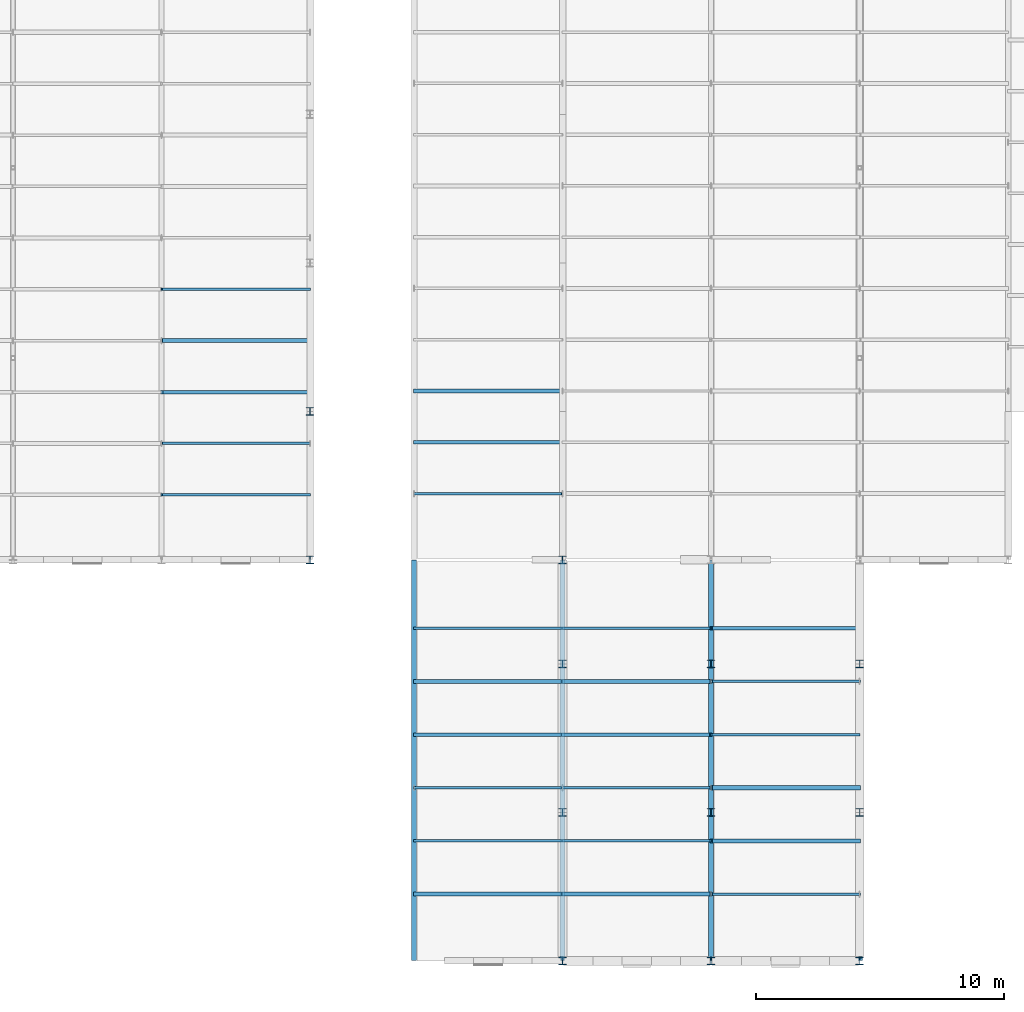
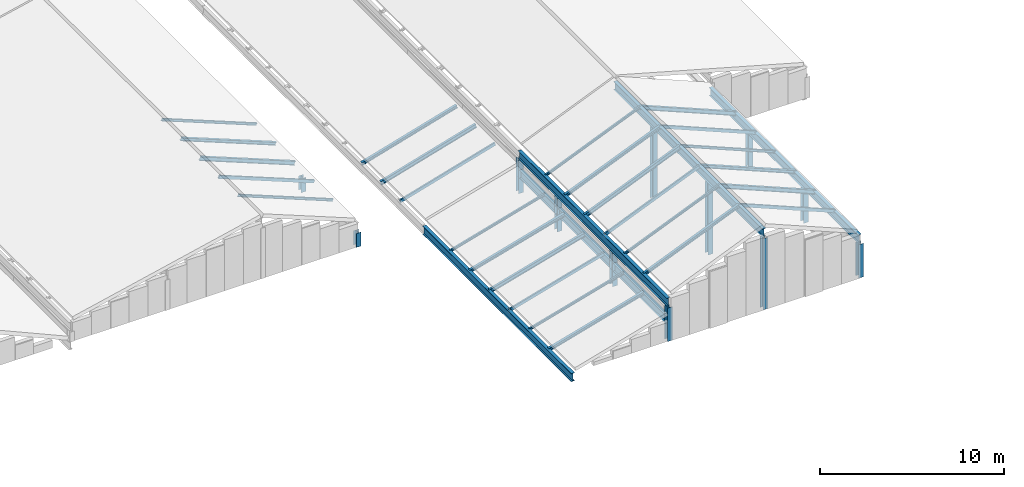
# One storey, part 2 of 74: 38 members, 5 beams.
"""IFC4 building model written with IfcOpenShell, lengths in metres."""

import ifcopenshell
import ifcopenshell.guid

model = None  # the IFC model being written
_history = None  # IfcOwnerHistory: only IFC2X3 demands one
_inside = {}  # id of a spatial element -> (the spatial element, [elements in it])
_under = {}  # id of a project, library or spatial element -> (it, [spatial elements below it])
_declared = {}  # id of a project -> (the project, [libraries it declares])
_typed = {}  # id of a type object -> (the type object, [elements of that type])
_made_of = {}  # id of a material, layer set ... -> (it, [elements and type objects made of it])


def new_model(schema):
    """Start an empty IFC model of exactly this schema.

    Asked for "IFC4X3", IfcOpenShell would pick the latest addendum, in which some entities
    have other attributes; the version numbers below select the first issue.
    IFC2X3 requires an IfcOwnerHistory on every rooted entity: one is made here for all.
    """
    global model, _history
    if schema == "IFC4X3":
        model = ifcopenshell.file(schema_version=(4, 3, 0, 0))
    else:
        model = ifcopenshell.file(schema=schema)
    _inside.clear()
    _under.clear()
    _declared.clear()
    _typed.clear()
    _made_of.clear()
    _history = None
    if model.schema == "IFC2X3":
        org = make("IfcOrganization", Name="unknown")
        user = make(
            "IfcPersonAndOrganization",
            ThePerson=make("IfcPerson", FamilyName="unknown"),
            TheOrganization=org,
        )
        app = make(
            "IfcApplication",
            ApplicationDeveloper=org,
            Version="unknown",
            ApplicationFullName="unknown",
            ApplicationIdentifier="unknown",
        )
        _history = make(
            "IfcOwnerHistory",
            OwningUser=user,
            OwningApplication=app,
            ChangeAction="ADDED",
            CreationDate=0,
        )
    return model


def make(cls, **values):
    """One entity of the class cls with the attributes given. An attribute that is None is left unset."""
    return model.create_entity(
        cls, **{name: value for name, value in values.items() if value is not None}
    )


def rooted(cls, **values):
    """An entity with a GlobalId (a new one), such as an element, a storey or a relation."""
    return make(cls, GlobalId=ifcopenshell.guid.new(), OwnerHistory=_history, **values)


def si_unit(unit_type, name, prefix=None):
    """IfcSIUnit, for example si_unit("LENGTHUNIT", "METRE", prefix="MILLI")."""
    return make("IfcSIUnit", UnitType=unit_type, Prefix=prefix, Name=name)


def assignment(units):
    """IfcUnitAssignment: the units of a project."""
    return None if units is None else make("IfcUnitAssignment", Units=units)


def point(xyz):
    """IfcCartesianPoint."""
    return None if xyz is None else make("IfcCartesianPoint", Coordinates=xyz)


def direction(xyz):
    """IfcDirection."""
    return None if xyz is None else make("IfcDirection", DirectionRatios=xyz)


def frame(location, z_axis=None, x_axis=None):
    """IfcAxis2Placement3D, a coordinate frame: its origin and axes. An axis left out is left unset."""
    return make(
        "IfcAxis2Placement3D",
        Location=point(location),
        Axis=direction(z_axis),
        RefDirection=direction(x_axis),
    )


def frame_2d(location, x_axis=None):
    """IfcAxis2Placement2D, a coordinate frame in the plane: its origin and x axis."""
    return make(
        "IfcAxis2Placement2D", Location=point(location), RefDirection=direction(x_axis)
    )


def origin():
    """The frame at (0, 0, 0) with its axes left unset."""
    return frame((0.0, 0.0, 0.0))


def origin_2d():
    """The frame at (0, 0) in the plane with its x axis left unset."""
    return frame_2d((0.0, 0.0))


def place(relative_to, where):
    """IfcLocalPlacement: puts the frame where relative to a parent placement (None: the world)."""
    return make(
        "IfcLocalPlacement", PlacementRelTo=relative_to, RelativePlacement=where
    )


def context(
    kind, dimensions, precision=None, world=None, true_north=None, identifier=None
):
    """IfcGeometricRepresentationContext, for example the 3D "Model" context."""
    return make(
        "IfcGeometricRepresentationContext",
        ContextIdentifier=identifier,
        ContextType=kind,
        CoordinateSpaceDimension=dimensions,
        Precision=precision,
        WorldCoordinateSystem=world,
        TrueNorth=true_north,
    )


def subcontext(parent, identifier, kind, view, scale=None):
    """IfcGeometricRepresentationSubContext, for example "Body" below "Model"."""
    return make(
        "IfcGeometricRepresentationSubContext",
        ContextIdentifier=identifier,
        ContextType=kind,
        ParentContext=parent,
        TargetScale=scale,
        TargetView=view,
    )


def project(units=None, contexts=None):
    """IfcProject with its units and contexts."""
    return rooted(
        "IfcProject",
        Name="project",
        RepresentationContexts=contexts,
        UnitsInContext=assignment(units),
    )


def spatial(cls, under=None, at=None, **own):
    """A site, building, storey or space (cls), placed at a placement, below another one or the project."""
    s = rooted(cls, ObjectPlacement=at, **own)
    if under is not None:
        _under.setdefault(under.id(), (under, []))[1].append(s)
    return s


def profile(cls, at=None, kind="AREA", **sizes):
    """A parametric profile (cls). Its sizes go by their IFC names, for example OverallWidth=200.0."""
    return make(cls, ProfileType=kind, Position=at, **sizes)


def hollow_rectangle(**sizes):
    """IfcRectangleHollowProfileDef."""
    return profile("IfcRectangleHollowProfileDef", **sizes)


def i_section(**sizes):
    """IfcIShapeProfileDef."""
    return profile("IfcIShapeProfileDef", **sizes)


def extrude(swept, where, along, depth):
    """IfcExtrudedAreaSolid: the profile swept, set in the frame where, extruded along a direction by depth."""
    return make(
        "IfcExtrudedAreaSolid",
        SweptArea=swept,
        Position=where,
        ExtrudedDirection=direction(along),
        Depth=depth,
    )


def shape(context_of_items, identifier, shape_type, items):
    """IfcShapeRepresentation: the items that make up one representation, for example the "Body"."""
    return make(
        "IfcShapeRepresentation",
        ContextOfItems=context_of_items,
        RepresentationIdentifier=identifier,
        RepresentationType=shape_type,
        Items=items,
    )


def material(Name=None, Category=None):
    """IfcMaterial."""
    return make("IfcMaterial", Name=Name, Category=Category)


def material_profile(
    of_material, cross_section, Name=None, Category=None, Priority=None
):
    """IfcMaterialProfile: a cross section and its material."""
    return make(
        "IfcMaterialProfile",
        Name=Name,
        Material=of_material,
        Profile=cross_section,
        Priority=Priority,
        Category=Category,
    )


def profile_set(profiles, Name=None, composite=None):
    """IfcMaterialProfileSet."""
    return make(
        "IfcMaterialProfileSet",
        Name=Name,
        MaterialProfiles=profiles,
        CompositeProfile=composite,
    )


def made_of(thing, what):
    """Note that an element or type object is made of a material, layer set ...; save() writes the relation."""
    if what is not None:
        _made_of.setdefault(what.id(), (what, []))[1].append(thing)
    return thing


def type_object(cls, material=None, **own):
    """A type object (cls), such as IfcWallType, which elements share."""
    return made_of(rooted(cls, **own), material)


def element(
    cls,
    number,
    at=None,
    inside=None,
    cuts=None,
    type_object=None,
    material=None,
    context=None,
    identifier="Body",
    shape_type=None,
    held_by="IfcProductDefinitionShape",
    body=None,
    shapes=None,
    **own,
):
    """One element of the class cls, such as IfcWall. Its Tag is "e" and its number.

    at: its placement. inside: the storey or other place that contains it. cuts: it is an
    opening in that element (IfcRelVoidsElement). A single representation is given by context,
    identifier, shape_type and body (its items); several are given by shapes. held_by: the class
    of the entity that holds the representations. save() writes the other relations.
    """
    e = rooted(cls, Tag="e%d" % number, ObjectPlacement=at, **own)
    if body is not None:
        shapes = [shape(context, identifier, shape_type, body)]
    if shapes is not None:
        e.Representation = make(held_by, Representations=shapes)
    if inside is not None:
        _inside.setdefault(inside.id(), (inside, []))[1].append(e)
    if cuts is not None:
        rooted(
            "IfcRelVoidsElement", RelatingBuildingElement=cuts, RelatedOpeningElement=e
        )
    if type_object is not None:
        _typed.setdefault(type_object.id(), (type_object, []))[1].append(e)
    return made_of(e, material)


def aggregate(whole, parts):
    """IfcRelAggregates: a whole, such as a stair, and the parts it consists of."""
    return rooted("IfcRelAggregates", RelatingObject=whole, RelatedObjects=parts)


def save(model, path):
    """Write the relations noted so far, then the file.

    IfcRelAggregates (storeys below a building ...), IfcRelContainedInSpatialStructure (elements
    in a storey), IfcRelDefinesByType, IfcRelAssociatesMaterial and IfcRelDeclares: one each for
    every whole, place, type object, material and project.
    """
    for whole, parts in _under.values():
        aggregate(whole, parts)
    for where, things in _inside.values():
        rooted(
            "IfcRelContainedInSpatialStructure",
            RelatedElements=things,
            RelatingStructure=where,
        )
    for kind, things in _typed.values():
        rooted("IfcRelDefinesByType", RelatedObjects=things, RelatingType=kind)
    for what, things in _made_of.values():
        rooted("IfcRelAssociatesMaterial", RelatedObjects=things, RelatingMaterial=what)
    for by, libraries in _declared.values():
        rooted("IfcRelDeclares", RelatingContext=by, RelatedDefinitions=libraries)
    model.write(path)


model = new_model("IFC4")

# Units and contexts
model_context = context("Model", 3, precision=1e-05, world=origin(), true_north=direction((0.0, 1.0)))
body_context = subcontext(model_context, "Body", "Model", "MODEL_VIEW")
ifc_project = project(units=[si_unit("LENGTHUNIT", "METRE"), si_unit("AREAUNIT", "SQUARE_METRE"), si_unit("VOLUMEUNIT", "CUBIC_METRE"), si_unit("PLANEANGLEUNIT", "RADIAN"), si_unit("MASSUNIT", "GRAM", prefix="KILO")], contexts=[model_context])

# Site, building, storey
site_placement = place(None, origin())
site = spatial("IfcSite", under=ifc_project, at=site_placement, CompositionType="ELEMENT")
building_placement = place(site_placement, origin())
building = spatial("IfcBuilding", under=site, at=building_placement, Name="Siltcreek Boulevard Central Fire Station", CompositionType="ELEMENT")
storey_placement = place(building_placement, frame((0.0, 0.0, 25.199951171875)))
storey = spatial("IfcBuildingStorey", under=building, at=storey_placement, Name="RF", CompositionType="ELEMENT", Elevation=25.199951171875)

# Beams
ifc_material_1 = material(Name="Structural steel ASTM A992 Gr50", Category="steel")
ifc_material_profile_1 = material_profile(ifc_material_1, i_section(OverallWidth=0.2109375, OverallDepth=0.5390625, WebThickness=0.01171875, FlangeThickness=0.018798828125, at=origin_2d()), Name="W530X109")
ifc_profile_set_1 = profile_set([ifc_material_profile_1], Name="Structural steel ASTM A992 Gr50")
beam_type = type_object("IfcBeamType", Name="BM_W530X109", PredefinedType="BEAM", material=ifc_profile_set_1)
for number, where, z_axis, x_axis, name in (
    (1, (42.0, 1.81005859375, -15.612060546875), (0.0, 1.0, 0.0), (-1.0, 0.0, 0.0), "Pitched roof rafter beam RFB-001"),
    (2, (48.0, 1.81005859375, -13.912109375), (0.0, 1.0, 0.0), (-1.0, 0.0, 0.0), "Pitched roof rafter beam RFB-002"),
    (3, (48.0, 1.81005859375, -12.71044921875), (0.0, 1.0, 0.0), (-1.0, 0.0, 0.0), "Pitched roof rafter beam RFB-007"),
    (4, (54.0, 1.81005859375, -10.21044921875), (0.0, 1.0, 0.0), (-1.0, 0.0, 0.0), "Pitched roof rafter beam RFB-008"),
    (5, (60.0, 1.81005859375, -12.71044921875), (0.0, 1.0, 0.0), (-1.0, 0.0, 0.0), "Pitched roof rafter beam RFB-009"),
):
    element("IfcBeam", number, at=place(storey_placement, frame(where, z_axis=z_axis, x_axis=x_axis)), inside=storey, type_object=beam_type, Name=name, PredefinedType="BEAM", context=body_context, shape_type="SweptSolid", body=[
        extrude(i_section(OverallWidth=0.2109375, OverallDepth=0.5390625, WebThickness=0.01171875, FlangeThickness=0.018798828125, at=origin_2d()), origin(), (0.0, 0.0, 1.0), 16.179931640625),
    ])

# Members
ifc_material_profile_2 = material_profile(ifc_material_1, i_section(OverallWidth=0.304931640625, OverallDepth=0.30810546875, WebThickness=0.010009765625, FlangeThickness=0.015380859375, at=origin_2d()), Name="W310X97")
ifc_profile_set_2 = profile_set([ifc_material_profile_2], Name="Structural steel ASTM A992 Gr50")
member_type_1 = type_object("IfcMemberType", Name="CH_W310X97", PredefinedType="CHORD", material=ifc_profile_set_2)
for number, where, z_axis, x_axis, name in (
    (6, (37.800048828125, 18.0, -15.199951171875), (0.0, 0.0, 1.0), (1.0, 0.0, 0.0), "Roof bearing truss post 0682"),
    (7, (37.800048828125, 24.0, -15.199951171875), (0.0, 0.0, 1.0), (1.0, 0.0, 0.0), "Roof bearing truss post 0683"),
):
    element("IfcMember", number, at=place(storey_placement, frame(where, z_axis=z_axis, x_axis=x_axis)), inside=storey, type_object=member_type_1, Name=name, PredefinedType="CHORD", context=body_context, shape_type="SweptSolid", body=[
        extrude(i_section(OverallWidth=0.304931640625, OverallDepth=0.30810546875, WebThickness=0.010009765625, FlangeThickness=0.015380859375, at=origin_2d()), origin(), (0.0, 0.0, 1.0), 0.927490234375),
    ])
for number, where, z_axis, x_axis, name in (
    (8, (48.0, 1.800048828125, -15.199951171875), (0.0, 0.0, 1.0), (1.0, 0.0, 0.0), "Roof bearing truss post 0691"),
    (9, (48.0, 7.800048828125, -15.199951171875), (0.0, 0.0, 1.0), (1.0, 0.0, 0.0), "Roof bearing truss post 0692"),
    (10, (48.0, 13.800048828125, -15.199951171875), (0.0, 0.0, 1.0), (1.0, 0.0, 0.0), "Roof bearing truss post 0693"),
    (11, (48.0, 18.0, -15.199951171875), (0.0, 0.0, 1.0), (1.0, 0.0, 0.0), "Roof bearing truss post 0694"),
):
    element("IfcMember", number, at=place(storey_placement, frame(where, z_axis=z_axis, x_axis=x_axis)), inside=storey, type_object=member_type_1, Name=name, PredefinedType="CHORD", context=body_context, shape_type="SweptSolid", body=[
        extrude(i_section(OverallWidth=0.304931640625, OverallDepth=0.30810546875, WebThickness=0.010009765625, FlangeThickness=0.015380859375, at=origin_2d()), origin(), (0.0, 0.0, 1.0), 2.223876953125),
    ])
for number, where, z_axis, x_axis, name in (
    (12, (54.0, 1.800048828125, -15.199951171875), (0.0, 0.0, 1.0), (1.0, 0.0, 0.0), "Roof bearing truss post 0700"),
    (13, (54.0, 7.800048828125, -15.199951171875), (0.0, 0.0, 1.0), (1.0, 0.0, 0.0), "Roof bearing truss post 0701"),
    (14, (54.0, 13.800048828125, -15.199951171875), (0.0, 0.0, 1.0), (1.0, 0.0, 0.0), "Roof bearing truss post 0702"),
):
    element("IfcMember", number, at=place(storey_placement, frame(where, z_axis=z_axis, x_axis=x_axis)), inside=storey, type_object=member_type_1, Name=name, PredefinedType="CHORD", context=body_context, shape_type="SweptSolid", body=[
        extrude(i_section(OverallWidth=0.304931640625, OverallDepth=0.30810546875, WebThickness=0.010009765625, FlangeThickness=0.015380859375, at=origin_2d()), origin(), (0.0, 0.0, 1.0), 4.723876953125),
    ])
for number, where, z_axis, x_axis, name in (
    (15, (60.0, 1.800048828125, -15.199951171875), (0.0, 0.0, 1.0), (1.0, 0.0, 0.0), "Roof bearing truss post 0709"),
    (16, (60.0, 7.800048828125, -15.199951171875), (0.0, 0.0, 1.0), (1.0, 0.0, 0.0), "Roof bearing truss post 0710"),
    (17, (60.0, 13.800048828125, -15.199951171875), (0.0, 0.0, 1.0), (1.0, 0.0, 0.0), "Roof bearing truss post 0711"),
):
    element("IfcMember", number, at=place(storey_placement, frame(where, z_axis=z_axis, x_axis=x_axis)), inside=storey, type_object=member_type_1, Name=name, PredefinedType="CHORD", context=body_context, shape_type="SweptSolid", body=[
        extrude(i_section(OverallWidth=0.304931640625, OverallDepth=0.30810546875, WebThickness=0.010009765625, FlangeThickness=0.015380859375, at=origin_2d()), origin(), (0.0, 0.0, 1.0), 2.223876953125),
    ])
ifc_material_2 = material(Name="Structural steel ASTM A500 GrC", Category="steel")
ifc_material_profile_3 = material_profile(ifc_material_2, hollow_rectangle(XDim=0.10009765625, YDim=0.199951171875, WallThickness=0.00634765625, at=origin_2d()), Name="HSS200X100X6.4")
ifc_profile_set_3 = profile_set([ifc_material_profile_3], Name="Structural steel ASTM A500 GrC")
member_type_2 = type_object("IfcMemberType", Name="PR_HSS200X100", PredefinedType="PURLIN", material=ifc_profile_set_3)
member_1_placement = place(storey_placement, frame((42.010009765625, 8.795654296875, -15.404052734375), z_axis=(0.962126382904, 0.0, 0.272603784492), x_axis=(0.0, 1.0, 0.0)))
element("IfcMember", 18, at=member_1_placement, inside=storey, type_object=member_type_2, Name="Sloped roof purlin PR-0003", PredefinedType="PURLIN", context=body_context, shape_type="SweptSolid", body=[
    extrude(hollow_rectangle(XDim=0.10009765625, YDim=0.199951171875, WallThickness=0.00634765625, at=origin_2d()), origin(), (0.0, 0.0, 1.0), 6.21533203125),
])
member_2_placement = place(storey_placement, frame((42.010009765625, 20.680908203125, -15.375732421875), z_axis=(0.959990342304, 0.0, 0.280033109976), x_axis=(0.0, 1.0, 0.0)))
element("IfcMember", 19, at=member_2_placement, inside=storey, type_object=member_type_2, Name="Sloped roof purlin PR-0007", PredefinedType="PURLIN", context=body_context, shape_type="SweptSolid", body=[
    extrude(hollow_rectangle(XDim=0.10009765625, YDim=0.199951171875, WallThickness=0.00634765625, at=origin_2d()), origin(), (0.0, 0.0, 1.0), 6.229248046875),
])
for number, where, z_axis, x_axis, name in (
    (20, (48.010009765625, 8.795654296875, -12.489013671875), (0.923074693136, 0.0, 0.384620736431), (0.0, 1.0, 0.0), "Sloped roof purlin PR-0023"),
    (21, (54.010009765625, 4.49853515625, -9.997314453125), (0.923074693136, 0.0, -0.384620736431), (0.0, 1.0, 0.0), "Sloped roof purlin PR-0027"),
    (22, (54.010009765625, 13.093017578125, -9.997314453125), (0.923074693136, 0.0, -0.384620736431), (0.0, 1.0, 0.0), "Sloped roof purlin PR-0031"),
):
    element("IfcMember", number, at=place(storey_placement, frame(where, z_axis=z_axis, x_axis=x_axis)), inside=storey, type_object=member_type_2, Name=name, PredefinedType="PURLIN", context=body_context, shape_type="SweptSolid", body=[
        extrude(hollow_rectangle(XDim=0.10009765625, YDim=0.199951171875, WallThickness=0.00634765625, at=origin_2d()), origin(), (0.0, 0.0, 1.0), 6.478271484375),
    ])
member_3_placement = place(storey_placement, frame((31.81005859375, 22.70263671875, -11.39501953125), z_axis=(0.928484533425, 0.0, -0.371371069403), x_axis=(0.0, 1.0, 0.0)))
element("IfcMember", 23, at=member_3_placement, inside=storey, type_object=member_type_2, Name="Sloped roof purlin PR-0247", PredefinedType="PURLIN", context=body_context, shape_type="SweptSolid", body=[
    extrude(hollow_rectangle(XDim=0.10009765625, YDim=0.199951171875, WallThickness=0.00634765625, at=origin_2d()), origin(), (0.0, 0.0, 1.0), 6.440673828125),
])
ifc_material_profile_4 = material_profile(ifc_material_1, i_section(OverallWidth=0.10205078125, OverallDepth=0.159912109375, WebThickness=0.006591796875, FlangeThickness=0.01025390625, at=origin_2d()), Name="W150X24")
ifc_profile_set_4 = profile_set([ifc_material_profile_4], Name="Structural steel ASTM A992 Gr50")
member_type_3 = type_object("IfcMemberType", Name="PR_W150X24", PredefinedType="PURLIN", material=ifc_profile_set_4)
for number, where, z_axis, x_axis, name in (
    (24, (42.010009765625, 6.647216796875, -15.38330078125), (0.962126382904, 0.0, 0.272603784492), (0.0, 1.0, 0.0), "Sloped roof purlin PR-0002"),
    (25, (42.010009765625, 15.241455078125, -15.38330078125), (0.962126382904, 0.0, 0.272603784492), (0.0, 1.0, 0.0), "Sloped roof purlin PR-0006"),
):
    element("IfcMember", number, at=place(storey_placement, frame(where, z_axis=z_axis, x_axis=x_axis)), inside=storey, type_object=member_type_3, Name=name, PredefinedType="PURLIN", context=body_context, shape_type="SweptSolid", body=[
        extrude(i_section(OverallWidth=0.10205078125, OverallDepth=0.159912109375, WebThickness=0.006591796875, FlangeThickness=0.01025390625, at=origin_2d()), origin(), (0.0, 0.0, 1.0), 6.21533203125),
    ])
for number, where, z_axis, x_axis, name in (
    (26, (48.010009765625, 6.647216796875, -12.46728515625), (0.923074693136, 0.0, 0.384620736431), (0.0, 1.0, 0.0), "Sloped roof purlin PR-0022"),
    (27, (48.010009765625, 15.241455078125, -12.46728515625), (0.923074693136, 0.0, 0.384620736431), (0.0, 1.0, 0.0), "Sloped roof purlin PR-0026"),
    (28, (54.010009765625, 10.9443359375, -9.9755859375), (0.923074693136, 0.0, -0.384620736431), (0.0, 1.0, 0.0), "Sloped roof purlin PR-0030"),
):
    element("IfcMember", number, at=place(storey_placement, frame(where, z_axis=z_axis, x_axis=x_axis)), inside=storey, type_object=member_type_3, Name=name, PredefinedType="PURLIN", context=body_context, shape_type="SweptSolid", body=[
        extrude(i_section(OverallWidth=0.10205078125, OverallDepth=0.159912109375, WebThickness=0.006591796875, FlangeThickness=0.01025390625, at=origin_2d()), origin(), (0.0, 0.0, 1.0), 6.478271484375),
    ])
for number, where, z_axis, x_axis, name in (
    (29, (31.81005859375, 20.62646484375, -11.373291015625), (0.928471462369, 0.0, -0.371403747379), (0.0, 1.0, 0.0), "Sloped roof purlin PR-0246"),
    (30, (31.81005859375, 28.931884765625, -11.373291015625), (0.928471462369, 0.0, -0.371403747379), (0.0, 1.0, 0.0), "Sloped roof purlin PR-0250"),
):
    element("IfcMember", number, at=place(storey_placement, frame(where, z_axis=z_axis, x_axis=x_axis)), inside=storey, type_object=member_type_3, Name=name, PredefinedType="PURLIN", context=body_context, shape_type="SweptSolid", body=[
        extrude(i_section(OverallWidth=0.10205078125, OverallDepth=0.159912109375, WebThickness=0.006591796875, FlangeThickness=0.01025390625, at=origin_2d()), origin(), (0.0, 0.0, 1.0), 6.440673828125),
    ])
ifc_material_profile_5 = material_profile(ifc_material_1, i_section(OverallWidth=0.1650390625, OverallDepth=0.200927734375, WebThickness=0.006103515625, FlangeThickness=0.01025390625, at=origin_2d()), Name="W200X36")
ifc_profile_set_5 = profile_set([ifc_material_profile_5], Name="Structural steel ASTM A992 Gr50")
member_type_4 = type_object("IfcMemberType", Name="PR_W200X36", PredefinedType="PURLIN", material=ifc_profile_set_5)
for number, where, z_axis, x_axis, name in (
    (31, (42.010009765625, 4.49853515625, -15.404541015625), (0.962126382904, 0.0, 0.272603784492), (0.0, 1.0, 0.0), "Sloped roof purlin PR-0001"),
    (32, (42.010009765625, 13.093017578125, -15.404541015625), (0.962126382904, 0.0, 0.272603784492), (0.0, 1.0, 0.0), "Sloped roof purlin PR-0005"),
):
    element("IfcMember", number, at=place(storey_placement, frame(where, z_axis=z_axis, x_axis=x_axis)), inside=storey, type_object=member_type_4, Name=name, PredefinedType="PURLIN", context=body_context, shape_type="SweptSolid", body=[
        extrude(i_section(OverallWidth=0.1650390625, OverallDepth=0.200927734375, WebThickness=0.006103515625, FlangeThickness=0.01025390625, at=origin_2d()), origin(), (0.0, 0.0, 1.0), 6.21533203125),
    ])
member_4_placement = place(storey_placement, frame((42.010009765625, 24.82275390625, -15.376220703125), z_axis=(0.960000877925, 0.0, 0.279996989953), x_axis=(0.0, 1.0, 0.0)))
element("IfcMember", 33, at=member_4_placement, inside=storey, type_object=member_type_4, Name="Sloped roof purlin PR-0009", PredefinedType="PURLIN", context=body_context, shape_type="SweptSolid", body=[
    extrude(i_section(OverallWidth=0.1650390625, OverallDepth=0.200927734375, WebThickness=0.006103515625, FlangeThickness=0.01025390625, at=origin_2d()), origin(), (0.0, 0.0, 1.0), 6.229248046875),
])
for number, where, z_axis, x_axis, name in (
    (34, (48.010009765625, 4.49853515625, -12.489501953125), (0.923074693136, 0.0, 0.384620736431), (0.0, 1.0, 0.0), "Sloped roof purlin PR-0021"),
    (35, (48.010009765625, 13.093017578125, -12.489501953125), (0.923074693136, 0.0, 0.384620736431), (0.0, 1.0, 0.0), "Sloped roof purlin PR-0025"),
    (36, (54.010009765625, 8.795654296875, -9.997802734375), (0.923074693136, 0.0, -0.384620736431), (0.0, 1.0, 0.0), "Sloped roof purlin PR-0029"),
):
    element("IfcMember", number, at=place(storey_placement, frame(where, z_axis=z_axis, x_axis=x_axis)), inside=storey, type_object=member_type_4, Name=name, PredefinedType="PURLIN", context=body_context, shape_type="SweptSolid", body=[
        extrude(i_section(OverallWidth=0.1650390625, OverallDepth=0.200927734375, WebThickness=0.006103515625, FlangeThickness=0.01025390625, at=origin_2d()), origin(), (0.0, 0.0, 1.0), 6.478271484375),
    ])
member_5_placement = place(storey_placement, frame((31.81005859375, 26.85546875, -11.3955078125), z_axis=(0.928484533425, 0.0, -0.371371069403), x_axis=(0.0, 1.0, 0.0)))
element("IfcMember", 37, at=member_5_placement, inside=storey, type_object=member_type_4, Name="Sloped roof purlin PR-0249", PredefinedType="PURLIN", context=body_context, shape_type="SweptSolid", body=[
    extrude(i_section(OverallWidth=0.1650390625, OverallDepth=0.200927734375, WebThickness=0.006103515625, FlangeThickness=0.01025390625, at=origin_2d()), origin(), (0.0, 0.0, 1.0), 6.440673828125),
])
ifc_material_profile_6 = material_profile(ifc_material_1, i_section(OverallWidth=0.14697265625, OverallDepth=0.261962890625, WebThickness=0.006591796875, FlangeThickness=0.01123046875, at=origin_2d()), Name="W250X39")
ifc_profile_set_6 = profile_set([ifc_material_profile_6], Name="Structural steel ASTM A992 Gr50")
member_type_5 = type_object("IfcMemberType", Name="PR_W250X39", PredefinedType="PURLIN", material=ifc_profile_set_6)
member_6_placement = place(storey_placement, frame((42.010009765625, 10.9443359375, -15.436279296875), z_axis=(0.962126382904, 0.0, 0.272603784492), x_axis=(0.0, 1.0, 0.0)))
element("IfcMember", 38, at=member_6_placement, inside=storey, type_object=member_type_5, Name="Sloped roof purlin PR-0004", PredefinedType="PURLIN", context=body_context, shape_type="SweptSolid", body=[
    extrude(i_section(OverallWidth=0.14697265625, OverallDepth=0.261962890625, WebThickness=0.006591796875, FlangeThickness=0.01123046875, at=origin_2d()), origin(), (0.0, 0.0, 1.0), 6.21533203125),
])
member_7_placement = place(storey_placement, frame((42.010009765625, 22.751708984375, -15.407958984375), z_axis=(0.960000877925, 0.0, 0.279996989953), x_axis=(0.0, 1.0, 0.0)))
element("IfcMember", 39, at=member_7_placement, inside=storey, type_object=member_type_5, Name="Sloped roof purlin PR-0008", PredefinedType="PURLIN", context=body_context, shape_type="SweptSolid", body=[
    extrude(i_section(OverallWidth=0.14697265625, OverallDepth=0.261962890625, WebThickness=0.006591796875, FlangeThickness=0.01123046875, at=origin_2d()), origin(), (0.0, 0.0, 1.0), 6.229248046875),
])
for number, where, z_axis, x_axis, name in (
    (40, (48.010009765625, 10.9443359375, -12.5224609375), (0.923074693136, 0.0, 0.384620736431), (0.0, 1.0, 0.0), "Sloped roof purlin PR-0024"),
    (41, (54.010009765625, 6.647216796875, -10.03076171875), (0.923074693136, 0.0, -0.384620736431), (0.0, 1.0, 0.0), "Sloped roof purlin PR-0028"),
    (42, (54.010009765625, 15.241455078125, -10.03076171875), (0.923074693136, 0.0, -0.384620736431), (0.0, 1.0, 0.0), "Sloped roof purlin PR-0032"),
):
    element("IfcMember", number, at=place(storey_placement, frame(where, z_axis=z_axis, x_axis=x_axis)), inside=storey, type_object=member_type_5, Name=name, PredefinedType="PURLIN", context=body_context, shape_type="SweptSolid", body=[
        extrude(i_section(OverallWidth=0.14697265625, OverallDepth=0.261962890625, WebThickness=0.006591796875, FlangeThickness=0.01123046875, at=origin_2d()), origin(), (0.0, 0.0, 1.0), 6.478271484375),
    ])
member_8_placement = place(storey_placement, frame((31.81005859375, 24.779052734375, -11.42822265625), z_axis=(0.928471462369, 0.0, -0.371403747379), x_axis=(0.0, 1.0, 0.0)))
element("IfcMember", 43, at=member_8_placement, inside=storey, type_object=member_type_5, Name="Sloped roof purlin PR-0248", PredefinedType="PURLIN", context=body_context, shape_type="SweptSolid", body=[
    extrude(i_section(OverallWidth=0.14697265625, OverallDepth=0.261962890625, WebThickness=0.006591796875, FlangeThickness=0.01123046875, at=origin_2d()), origin(), (0.0, 0.0, 1.0), 6.440673828125),
])

save(model, "model.ifc")
